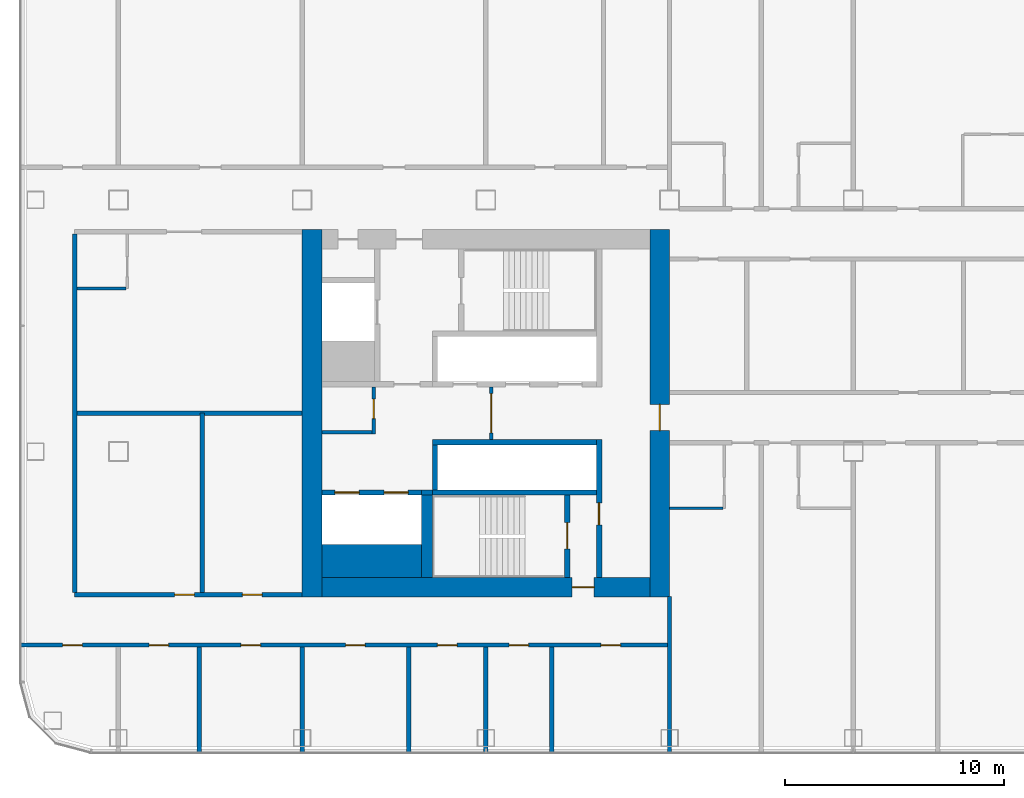
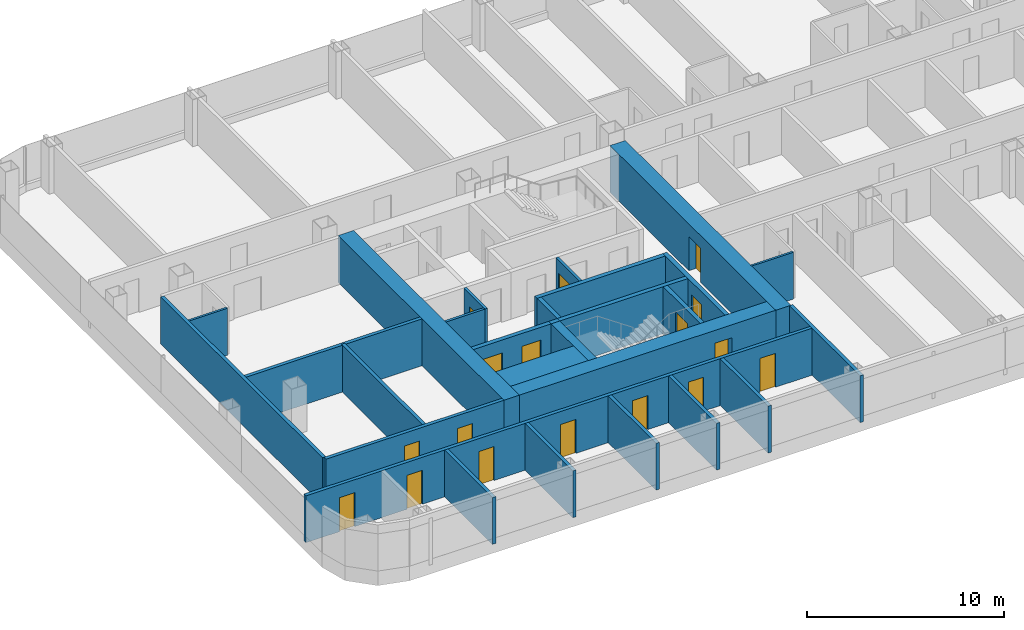
# One storey, part 15 of 29: 28 walls, 17 doors, 17 openings.
"""IFC4 building model written with IfcOpenShell, lengths in metres."""

from ifc_helpers import new_model, si_unit, direction, frame, frame_2d, origin, place, context, subcontext, project, spatial, rectangle, extrude, material, layer, layer_set, type_object, element, fill, save


model = new_model("IFC4")

# Units and contexts
model_context = context("Model", 3, precision=1e-05, world=origin(), true_north=direction((0.0, 1.0)))
body_context = subcontext(model_context, "Body", "Model", "MODEL_VIEW")
ifc_project = project(units=[si_unit("LENGTHUNIT", "METRE"), si_unit("AREAUNIT", "SQUARE_METRE"), si_unit("VOLUMEUNIT", "CUBIC_METRE"), si_unit("PLANEANGLEUNIT", "RADIAN"), si_unit("MASSUNIT", "GRAM", prefix="KILO")], contexts=[model_context])

# Site, building, storey
site_placement = place(None, origin())
site = spatial("IfcSite", under=ifc_project, at=site_placement, CompositionType="ELEMENT")
building_placement = place(site_placement, origin())
building = spatial("IfcBuilding", under=site, at=building_placement, Name="Hakoniwa Tower and Hamabe Station Hall", CompositionType="ELEMENT")
storey_placement = place(building_placement, frame((0.0, 0.0, 117.0)))
storey = spatial("IfcBuildingStorey", under=building, at=storey_placement, Name="L33", CompositionType="ELEMENT", Elevation=117.0)

# Wall
ifc_material_1 = material(Name="Gypsum board partition", Category="gypsum")
ifc_layer_1 = layer(ifc_material_1, 0.125)
ifc_layer_set_1 = layer_set([ifc_layer_1], Name="Bathroom Partition 125")
wall_type_1 = type_object("IfcWallType", Name="Bathroom Partition 125", PredefinedType="PARTITIONING", material=ifc_layer_set_1)
wall_1_placement = place(storey_placement, frame((-16.81005859375, -4.35009765625, 0.0), z_axis=(0.0, 0.0, 1.0), x_axis=(1.0, 0.0, 0.0)))
element("IfcWall", 1, at=wall_1_placement, inside=storey, type_object=wall_type_1, Name="GW-L33-007", PredefinedType="PARTITIONING", context=body_context, shape_type="SweptSolid", body=[
    extrude(rectangle(XDim=2.447509765625, YDim=0.125, at=frame_2d((1.2236328125, 0.0))), origin(), (0.0, 0.0, 1.0), 2.89990234375),
])

# Wall, opening, door
ifc_material_2 = material(Name="Gypsum board partition")
ifc_layer_2 = layer(ifc_material_2, 0.14990234375)
ifc_layer_set_2 = layer_set([ifc_layer_2], Name="CORE PARTITION 150 EI 60")
wall_type_2 = type_object("IfcWallType", Name="CORE PARTITION 150 EI 60", PredefinedType="PARTITIONING", material=ifc_layer_set_2)
wall_2_placement = place(storey_placement, frame((-24.949951171875, -1.199951171875, 0.0), z_axis=(0.0, 0.0, 1.0), x_axis=(0.0, 1.0, 0.0)))
wall_2 = element("IfcWall", 2, at=wall_2_placement, inside=storey, type_object=wall_type_2, Name="Core partition PL0 west", PredefinedType="PARTITIONING", context=body_context, shape_type="SweptSolid", body=[
    extrude(rectangle(XDim=2.39990234375, YDim=0.14990234375, at=frame_2d((1.199951171875, 0.0))), origin(), (0.0, 0.0, 1.0), 2.89990234375),
])
opening_1_placement = place(wall_2_placement, frame((0.300048828125, 0.0, 0.0)))
opening_1 = element("IfcOpeningElement", 3, at=opening_1_placement, cuts=wall_2, Name="Opening CD-W-LP0-18", PredefinedType="OPENING", context=body_context, shape_type="SweptSolid", body=[
    extrude(rectangle(XDim=1.800048828125, YDim=2.10009765625, at=frame_2d((0.89990234375, 1.050048828125))), frame((0.0, 0.0849609375, 0.0), z_axis=(0.0, -1.0, 0.0), x_axis=(1.0, 0.0, 0.0)), (0.0, 0.0, 1.0), 0.169921875),
])
ifc_material_3 = material(Name="Steel fire door", Category="steel")
door_type_1 = type_object("IfcDoorType", Name="CORE DOOR 1800 FD60", OperationType="DOUBLE_DOOR_SINGLE_SWING", PredefinedType="DOOR", material=ifc_material_3)
door_1_placement = place(opening_1_placement, origin())
door_1 = element("IfcDoor", 4, at=door_1_placement, inside=storey, type_object=door_type_1, Name="Lift lobby partition door", OperationType="DOUBLE_DOOR_SINGLE_SWING", OverallHeight=2.10009765625, OverallWidth=1.800048828125, PredefinedType="DOOR", context=body_context, shape_type="SweptSolid", body=[
    extrude(rectangle(XDim=1.800048828125, YDim=2.10009765625, at=frame_2d((0.89990234375, 1.050048828125))), frame((0.0, 0.02490234375, 0.0), z_axis=(0.0, -1.0, 0.0), x_axis=(1.0, 0.0, 0.0)), (0.0, 0.0, 1.0), 0.050048828125),
])
fill(opening_1, door_1)

wall_3_placement = place(storey_placement, frame((-30.324951171875, -0.949951171875, 0.0), z_axis=(0.0, 0.0, 1.0), x_axis=(0.0, 1.0, 0.0)))
wall_3 = element("IfcWall", 5, at=wall_3_placement, inside=storey, type_object=wall_type_2, Name="Core partition PW0 west", PredefinedType="PARTITIONING", context=body_context, shape_type="SweptSolid", body=[
    extrude(rectangle(XDim=2.14990234375, YDim=0.14990234375, at=frame_2d((1.074951171875, 0.0))), origin(), (0.0, 0.0, 1.0), 2.89990234375),
])
opening_2_placement = place(wall_3_placement, frame((0.699951171875, 0.0, 0.0)))
opening_2 = element("IfcOpeningElement", 6, at=opening_2_placement, cuts=wall_3, Name="Opening CD-W-RM1-9", PredefinedType="OPENING", context=body_context, shape_type="SweptSolid", body=[
    extrude(rectangle(XDim=0.89990234375, YDim=2.10009765625, at=frame_2d((0.449951171875, 1.050048828125))), frame((0.0, 0.0849609375, 0.0), z_axis=(0.0, -1.0, 0.0), x_axis=(1.0, 0.0, 0.0)), (0.0, 0.0, 1.0), 0.169921875),
])
ifc_material_4 = material(Name="Steel fire door", Category="steel")
door_type_2 = type_object("IfcDoorType", Name="CORE DOOR 900 FD30", OperationType="NOTDEFINED", PredefinedType="DOOR", material=ifc_material_4)
door_2_placement = place(opening_2_placement, origin())
door_2 = element("IfcDoor", 7, at=door_2_placement, inside=storey, type_object=door_type_2, Name="Store room door", OperationType="SINGLE_SWING_LEFT", OverallHeight=2.10009765625, OverallWidth=0.89990234375, PredefinedType="DOOR", context=body_context, shape_type="SweptSolid", body=[
    extrude(rectangle(XDim=0.89990234375, YDim=2.10009765625, at=frame_2d((0.449951171875, 1.050048828125))), frame((0.0, 0.02490234375, 0.0), z_axis=(0.0, -1.0, 0.0), x_axis=(1.0, 0.0, 0.0)), (0.0, 0.0, 1.0), 0.050048828125),
])
fill(opening_2, door_2)

# Wall
wall_4_placement = place(storey_placement, frame((-32.699951171875, -0.875, 0.0), z_axis=(0.0, 0.0, 1.0), x_axis=(1.0, 0.0, 0.0)))
element("IfcWall", 8, at=wall_4_placement, inside=storey, type_object=wall_type_2, Name="Core partition PS west", PredefinedType="PARTITIONING", context=body_context, shape_type="SweptSolid", body=[
    extrude(rectangle(XDim=2.300048828125, YDim=0.14990234375, at=frame_2d((1.14990234375, 0.0))), origin(), (0.0, 0.0, 1.0), 2.89990234375),
])

# Wall, opening, door
ifc_material_5 = material(Name="Concrete C72", Category="concrete")
ifc_layer_3 = layer(ifc_material_5, 0.89990234375)
ifc_layer_set_3 = layer_set([ifc_layer_3], Name="CORE WALL 900 C72")
wall_type_3 = type_object("IfcWallType", Name="CORE WALL 900 C72", PredefinedType="SHEAR", material=ifc_layer_set_3)
wall_5_placement = place(storey_placement, frame((-17.25, -8.39990234375, 0.0), z_axis=(0.0, 0.0, 1.0), x_axis=(0.0, 1.0, 0.0)))
wall_5 = element("IfcWall", 9, at=wall_5_placement, inside=storey, type_object=wall_type_3, Name="Core wall INNER west", PredefinedType="SHEAR", context=body_context, shape_type="SweptSolid", body=[
    extrude(rectangle(XDim=16.7998046875, YDim=0.89990234375, at=frame_2d((8.39990234375, 0.0))), origin(), (0.0, 0.0, 1.0), 2.89990234375),
])
opening_3_placement = place(wall_5_placement, frame((7.60009765625, 0.0, 0.0)))
opening_3 = element("IfcOpeningElement", 10, at=opening_3_placement, cuts=wall_5, Name="Opening CD-W-IN1-12", PredefinedType="OPENING", context=body_context, shape_type="SweptSolid", body=[
    extrude(rectangle(XDim=1.199951171875, YDim=2.10009765625, at=frame_2d((0.60009765625, 1.050048828125))), frame((0.0, 0.4599609375, 0.0), z_axis=(0.0, -1.0, 0.0), x_axis=(1.0, 0.0, 0.0)), (0.0, 0.0, 1.0), 0.919921875),
])
ifc_material_6 = material(Name="Steel fire door", Category="steel")
door_type_3 = type_object("IfcDoorType", Name="CORE DOOR 1200 FD60", OperationType="DOUBLE_DOOR_SINGLE_SWING", PredefinedType="DOOR", material=ifc_material_6)
door_3_placement = place(opening_3_placement, origin())
door_3 = element("IfcDoor", 11, at=door_3_placement, inside=storey, type_object=door_type_3, Name="Lift lobby door", OperationType="DOUBLE_DOOR_SINGLE_SWING", OverallHeight=2.10009765625, OverallWidth=1.199951171875, PredefinedType="DOOR", context=body_context, shape_type="SweptSolid", body=[
    extrude(rectangle(XDim=1.199951171875, YDim=2.10009765625, at=frame_2d((0.60009765625, 1.050048828125))), frame((0.0, 0.02490234375, 0.0), z_axis=(0.0, -1.0, 0.0), x_axis=(1.0, 0.0, 0.0)), (0.0, 0.0, 1.0), 0.050048828125),
])
fill(opening_3, door_3)

# Wall
wall_6_placement = place(storey_placement, frame((-33.14990234375, -8.39990234375, 0.0), z_axis=(0.0, 0.0, 1.0), x_axis=(0.0, 1.0, 0.0)))
element("IfcWall", 12, at=wall_6_placement, inside=storey, type_object=wall_type_3, Name="Core wall OUTER west", PredefinedType="SHEAR", context=body_context, shape_type="SweptSolid", body=[
    extrude(rectangle(XDim=16.7998046875, YDim=0.89990234375, at=frame_2d((8.39990234375, 0.0))), origin(), (0.0, 0.0, 1.0), 2.89990234375),
])

# Wall, opening, door
wall_7_placement = place(storey_placement, frame((-32.699951171875, -7.949951171875, 0.0), z_axis=(0.0, 0.0, 1.0), x_axis=(1.0, 0.0, 0.0)))
wall_7 = element("IfcWall", 13, at=wall_7_placement, inside=storey, type_object=wall_type_3, Name="Core wall SOUTH west", PredefinedType="SHEAR", context=body_context, shape_type="SweptSolid", body=[
    extrude(rectangle(XDim=15.0, YDim=0.89990234375, at=frame_2d((7.5, 0.0))), origin(), (0.0, 0.0, 1.0), 2.89990234375),
])
opening_4_placement = place(wall_7_placement, frame((11.449951171875, 0.0, 0.0)))
opening_4 = element("IfcOpeningElement", 14, at=opening_4_placement, cuts=wall_7, Name="Opening CD-W-FS3-10", PredefinedType="OPENING", context=body_context, shape_type="SweptSolid", body=[
    extrude(rectangle(XDim=1.0, YDim=2.10009765625, at=frame_2d((0.5, 1.050048828125))), frame((0.0, 0.4599609375, 0.0), z_axis=(0.0, -1.0, 0.0), x_axis=(1.0, 0.0, 0.0)), (0.0, 0.0, 1.0), 0.919921875),
])
ifc_material_7 = material(Name="Steel fire door", Category="steel")
door_type_4 = type_object("IfcDoorType", Name="CORE DOOR 1000 FD60", OperationType="NOTDEFINED", PredefinedType="DOOR", material=ifc_material_7)
door_4_placement = place(opening_4_placement, origin())
door_4 = element("IfcDoor", 15, at=door_4_placement, inside=storey, type_object=door_type_4, Name="Stair vestibule door", OperationType="SINGLE_SWING_RIGHT", OverallHeight=2.10009765625, OverallWidth=1.0, PredefinedType="DOOR", context=body_context, shape_type="SweptSolid", body=[
    extrude(rectangle(XDim=1.0, YDim=2.10009765625, at=frame_2d((0.5, 1.050048828125))), frame((0.0, 0.02490234375, 0.0), z_axis=(0.0, -1.0, 0.0), x_axis=(1.0, 0.0, 0.0)), (0.0, 0.0, 1.0), 0.050048828125),
])
fill(opening_4, door_4)

# Wall
ifc_material_8 = material(Name="Concrete C72", Category="concrete")
ifc_layer_4 = layer(ifc_material_8, 1.5)
ifc_layer_set_4 = layer_set([ifc_layer_4], Name="CORE WEB WALL 1500 C72")
wall_type_4 = type_object("IfcWallType", Name="CORE WEB WALL 1500 C72", PredefinedType="SHEAR", material=ifc_layer_set_4)
wall_8_placement = place(storey_placement, frame((-32.699951171875, -6.75, 0.0), z_axis=(0.0, 0.0, 1.0), x_axis=(1.0, 0.0, 0.0)))
element("IfcWall", 16, at=wall_8_placement, inside=storey, type_object=wall_type_4, Name="Core wall SER west", PredefinedType="SHEAR", context=body_context, shape_type="SweptSolid", body=[
    extrude(rectangle(XDim=4.550048828125, YDim=1.5, at=frame_2d((2.27490234375, 0.0))), origin(), (0.0, 0.0, 1.0), 2.89990234375),
])

# Wall, opening, door
ifc_material_9 = material(Name="Concrete C72", Category="concrete")
ifc_layer_5 = layer(ifc_material_9, 0.25)
ifc_layer_set_5 = layer_set([ifc_layer_5], Name="CORE WEB WALL 250 C72")
wall_type_5 = type_object("IfcWallType", Name="CORE WEB WALL 250 C72", PredefinedType="SHEAR", material=ifc_layer_set_5)
wall_9_placement = place(storey_placement, frame((-20.02490234375, -7.5, 0.0), z_axis=(0.0, 0.0, 1.0), x_axis=(0.0, 1.0, 0.0)))
wall_9 = element("IfcWall", 17, at=wall_9_placement, inside=storey, type_object=wall_type_5, Name="Core wall W1S west", PredefinedType="SHEAR", context=body_context, shape_type="SweptSolid", body=[
    extrude(rectangle(XDim=6.300048828125, YDim=0.25, at=frame_2d((3.14990234375, 0.0))), origin(), (0.0, 0.0, 1.0), 2.89990234375),
])
opening_5_placement = place(wall_9_placement, frame((2.39990234375, 0.0, 0.0)))
opening_5 = element("IfcOpeningElement", 18, at=opening_5_placement, cuts=wall_9, Name="Opening CD-W-VS-10", PredefinedType="OPENING", context=body_context, shape_type="SweptSolid", body=[
    extrude(rectangle(XDim=1.0, YDim=2.10009765625, at=frame_2d((0.5, 1.050048828125))), frame((0.0, 0.135009765625, 0.0), z_axis=(0.0, -1.0, 0.0), x_axis=(1.0, 0.0, 0.0)), (0.0, 0.0, 1.0), 0.27001953125),
])
door_5_placement = place(opening_5_placement, origin())
door_5 = element("IfcDoor", 19, at=door_5_placement, inside=storey, type_object=door_type_4, Name="Stair vestibule door", OperationType="SINGLE_SWING_LEFT", OverallHeight=2.10009765625, OverallWidth=1.0, PredefinedType="DOOR", context=body_context, shape_type="SweptSolid", body=[
    extrude(rectangle(XDim=1.0, YDim=2.10009765625, at=frame_2d((0.5, 1.050048828125))), frame((0.0, 0.02490234375, 0.0), z_axis=(0.0, -1.0, 0.0), x_axis=(1.0, 0.0, 0.0)), (0.0, 0.0, 1.0), 0.050048828125),
])
fill(opening_5, door_5)

# Walls
wall_10_placement = place(storey_placement, frame((-27.64990234375, -1.324951171875, 0.0), z_axis=(0.0, 0.0, 1.0), x_axis=(1.0, 0.0, 0.0)))
element("IfcWall", 20, at=wall_10_placement, inside=storey, type_object=wall_type_5, Name="Core wall SF west", PredefinedType="SHEAR", context=body_context, shape_type="SweptSolid", body=[
    extrude(rectangle(XDim=7.5, YDim=0.25, at=frame_2d((3.75, 0.0))), origin(), (0.0, 0.0, 1.0), 2.89990234375),
])
wall_11_placement = place(storey_placement, frame((-27.52490234375, -3.5, 0.0), z_axis=(0.0, 0.0, 1.0), x_axis=(0.0, 1.0, 0.0)))
element("IfcWall", 21, at=wall_11_placement, inside=storey, type_object=wall_type_5, Name="Core wall SE west", PredefinedType="SHEAR", context=body_context, shape_type="SweptSolid", body=[
    extrude(rectangle(XDim=2.050048828125, YDim=0.25, at=frame_2d((1.02490234375, 0.0))), origin(), (0.0, 0.0, 1.0), 2.89990234375),
])
wall_12_placement = place(storey_placement, frame((-27.64990234375, -3.625, 0.0), z_axis=(0.0, 0.0, 1.0), x_axis=(1.0, 0.0, 0.0)))
element("IfcWall", 22, at=wall_12_placement, inside=storey, type_object=wall_type_5, Name="Core wall SR west", PredefinedType="SHEAR", context=body_context, shape_type="SweptSolid", body=[
    extrude(rectangle(XDim=7.5, YDim=0.25, at=frame_2d((3.75, 0.0))), origin(), (0.0, 0.0, 1.0), 2.89990234375),
])

# Wall, opening, door
wall_13_placement = place(storey_placement, frame((-21.47509765625, -7.5, 0.0), z_axis=(0.0, 0.0, 1.0), x_axis=(0.0, 1.0, 0.0)))
wall_13 = element("IfcWall", 23, at=wall_13_placement, inside=storey, type_object=wall_type_5, Name="Core wall VE west", PredefinedType="SHEAR", context=body_context, shape_type="SweptSolid", body=[
    extrude(rectangle(XDim=3.75, YDim=0.25, at=frame_2d((1.875, 0.0))), origin(), (0.0, 0.0, 1.0), 2.89990234375),
])
opening_6_placement = place(wall_13_placement, frame((1.300048828125, 0.0, 0.0)))
opening_6 = element("IfcOpeningElement", 24, at=opening_6_placement, cuts=wall_13, Name="Opening CD-W-SS-12", PredefinedType="OPENING", context=body_context, shape_type="SweptSolid", body=[
    extrude(rectangle(XDim=1.199951171875, YDim=2.10009765625, at=frame_2d((0.60009765625, 1.050048828125))), frame((0.0, 0.135009765625, 0.0), z_axis=(0.0, -1.0, 0.0), x_axis=(1.0, 0.0, 0.0)), (0.0, 0.0, 1.0), 0.27001953125),
])
door_6_placement = place(opening_6_placement, origin())
door_6 = element("IfcDoor", 25, at=door_6_placement, inside=storey, type_object=door_type_3, Name="Escape stair door", OperationType="DOUBLE_DOOR_SINGLE_SWING", OverallHeight=2.10009765625, OverallWidth=1.199951171875, PredefinedType="DOOR", context=body_context, shape_type="SweptSolid", body=[
    extrude(rectangle(XDim=1.199951171875, YDim=2.10009765625, at=frame_2d((0.60009765625, 1.050048828125))), frame((0.0, 0.02490234375, 0.0), z_axis=(0.0, -1.0, 0.0), x_axis=(1.0, 0.0, 0.0)), (0.0, 0.0, 1.0), 0.050048828125),
])
fill(opening_6, door_6)

# Wall, openings, doors
wall_14_placement = place(storey_placement, frame((-32.699951171875, -3.625, 0.0), z_axis=(0.0, 0.0, 1.0), x_axis=(1.0, 0.0, 0.0)))
wall_14 = element("IfcWall", 26, at=wall_14_placement, inside=storey, type_object=wall_type_5, Name="Core wall SEF west", PredefinedType="SHEAR", context=body_context, shape_type="SweptSolid", body=[
    extrude(rectangle(XDim=4.550048828125, YDim=0.25, at=frame_2d((2.27490234375, 0.0))), origin(), (0.0, 0.0, 1.0), 2.89990234375),
])
opening_7_placement = place(wall_14_placement, frame((2.85009765625, 0.0, 0.0)))
opening_7 = element("IfcOpeningElement", 27, at=opening_7_placement, cuts=wall_14, Name="Opening LD-SV1", PredefinedType="OPENING", context=body_context, shape_type="SweptSolid", body=[
    extrude(rectangle(XDim=1.10009765625, YDim=2.10009765625, at=frame_2d((0.550048828125, 1.050048828125))), frame((0.0, 0.135009765625, 0.0), z_axis=(0.0, -1.0, 0.0), x_axis=(1.0, 0.0, 0.0)), (0.0, 0.0, 1.0), 0.27001953125),
])
opening_8_placement = place(wall_14_placement, frame((0.60009765625, 0.0, 0.0)))
opening_8 = element("IfcOpeningElement", 28, at=opening_8_placement, cuts=wall_14, Name="Opening LD-SV2", PredefinedType="OPENING", context=body_context, shape_type="SweptSolid", body=[
    extrude(rectangle(XDim=1.10009765625, YDim=2.10009765625, at=frame_2d((0.550048828125, 1.050048828125))), frame((0.0, 0.135009765625, 0.0), z_axis=(0.0, -1.0, 0.0), x_axis=(1.0, 0.0, 0.0)), (0.0, 0.0, 1.0), 0.27001953125),
])
ifc_material_10 = material(Name="Stainless steel SUS304", Category="steel")
door_type_5 = type_object("IfcDoorType", Name="LIFT LANDING DOOR 1100 FD60", OperationType="DOUBLE_DOOR_SLIDING", PredefinedType="DOOR", material=ifc_material_10)
door_7_placement = place(opening_7_placement, origin())
door_7 = element("IfcDoor", 29, at=door_7_placement, inside=storey, type_object=door_type_5, Name="Lift landing door SV1 L33", OperationType="DOUBLE_DOOR_SLIDING", OverallHeight=2.10009765625, OverallWidth=1.10009765625, PredefinedType="DOOR", context=body_context, shape_type="SweptSolid", body=[
    extrude(rectangle(XDim=1.10009765625, YDim=2.10009765625, at=frame_2d((0.550048828125, 1.050048828125))), frame((0.0, 0.02490234375, 0.0), z_axis=(0.0, -1.0, 0.0), x_axis=(1.0, 0.0, 0.0)), (0.0, 0.0, 1.0), 0.050048828125),
])
fill(opening_7, door_7)
door_8_placement = place(opening_8_placement, origin())
door_8 = element("IfcDoor", 30, at=door_8_placement, inside=storey, type_object=door_type_5, Name="Lift landing door SV2 L33", OperationType="DOUBLE_DOOR_SLIDING", OverallHeight=2.10009765625, OverallWidth=1.10009765625, PredefinedType="DOOR", context=body_context, shape_type="SweptSolid", body=[
    extrude(rectangle(XDim=1.10009765625, YDim=2.10009765625, at=frame_2d((0.550048828125, 1.050048828125))), frame((0.0, 0.02490234375, 0.0), z_axis=(0.0, -1.0, 0.0), x_axis=(1.0, 0.0, 0.0)), (0.0, 0.0, 1.0), 0.050048828125),
])
fill(opening_8, door_8)

# Walls
wall_15_placement = place(storey_placement, frame((-28.14990234375, -3.625, 0.0), z_axis=(0.0, 0.0, 1.0), x_axis=(1.0, 0.0, 0.0)))
element("IfcWall", 31, at=wall_15_placement, inside=storey, type_object=wall_type_5, Name="Core wall SRK west", PredefinedType="SHEAR", context=body_context, shape_type="SweptSolid", body=[
    extrude(rectangle(XDim=0.5, YDim=0.25, at=frame_2d((0.25, 0.0))), origin(), (0.0, 0.0, 1.0), 2.89990234375),
])
ifc_material_11 = material(Name="Concrete C72", Category="concrete")
ifc_layer_6 = layer(ifc_material_11, 0.5)
ifc_layer_set_6 = layer_set([ifc_layer_6], Name="CORE WEB WALL 500 C72")
wall_type_6 = type_object("IfcWallType", Name="CORE WEB WALL 500 C72", PredefinedType="SHEAR", material=ifc_layer_set_6)
wall_16_placement = place(storey_placement, frame((-27.89990234375, -7.5, 0.0), z_axis=(0.0, 0.0, 1.0), x_axis=(0.0, 1.0, 0.0)))
element("IfcWall", 32, at=wall_16_placement, inside=storey, type_object=wall_type_6, Name="Core wall SSE west", PredefinedType="SHEAR", context=body_context, shape_type="SweptSolid", body=[
    extrude(rectangle(XDim=3.75, YDim=0.5, at=frame_2d((1.875, 0.0))), origin(), (0.0, 0.0, 1.0), 2.89990234375),
])

# Wall, openings, doors
ifc_material_12 = material(Name="Fire-rated gypsum board partition", Category="gypsum")
ifc_layer_7 = layer(ifc_material_12, 0.199951171875)
ifc_layer_set_7 = layer_set([ifc_layer_7], Name="Corridor Wall 200")
wall_type_7 = type_object("IfcWallType", Name="Corridor Wall 200", PredefinedType="PARTITIONING", material=ifc_layer_set_7)
wall_17_placement = place(storey_placement, frame((-46.5, -10.60009765625, 0.0), z_axis=(0.0, 0.0, 1.0), x_axis=(1.0, 0.0, 0.0)))
wall_17 = element("IfcWall", 33, at=wall_17_placement, inside=storey, type_object=wall_type_7, Name="GW-L33-001", PredefinedType="PARTITIONING", context=body_context, shape_type="SweptSolid", body=[
    extrude(rectangle(XDim=29.699951171875, YDim=0.199951171875, at=frame_2d((14.85009765625, 0.0))), origin(), (0.0, 0.0, 1.0), 2.89990234375),
])
opening_9_placement = place(wall_17_placement, frame((1.949951171875, 0.0, 0.0)))
opening_9 = element("IfcOpeningElement", 34, at=opening_9_placement, cuts=wall_17, Name="Opening GD-G2D2-01", PredefinedType="OPENING", context=body_context, shape_type="SweptSolid", body=[
    extrude(rectangle(XDim=0.89990234375, YDim=2.10009765625, at=frame_2d((0.449951171875, 1.050048828125))), frame((0.0, 0.10986328125, 0.0), z_axis=(0.0, -1.0, 0.0), x_axis=(1.0, 0.0, 0.0)), (0.0, 0.0, 1.0), 0.219970703125),
])
opening_10_placement = place(wall_17_placement, frame((5.89990234375, 0.0, 0.0)))
opening_10 = element("IfcOpeningElement", 35, at=opening_10_placement, cuts=wall_17, Name="Opening GD-G2D2-02", PredefinedType="OPENING", context=body_context, shape_type="SweptSolid", body=[
    extrude(rectangle(XDim=0.89990234375, YDim=2.10009765625, at=frame_2d((0.449951171875, 1.050048828125))), frame((0.0, 0.10986328125, 0.0), z_axis=(0.0, -1.0, 0.0), x_axis=(1.0, 0.0, 0.0)), (0.0, 0.0, 1.0), 0.219970703125),
])
opening_11_placement = place(wall_17_placement, frame((10.10009765625, 0.0, 0.0)))
opening_11 = element("IfcOpeningElement", 36, at=opening_11_placement, cuts=wall_17, Name="Opening GD-G2D2-03", PredefinedType="OPENING", context=body_context, shape_type="SweptSolid", body=[
    extrude(rectangle(XDim=0.89990234375, YDim=2.10009765625, at=frame_2d((0.449951171875, 1.050048828125))), frame((0.0, 0.10986328125, 0.0), z_axis=(0.0, -1.0, 0.0), x_axis=(1.0, 0.0, 0.0)), (0.0, 0.0, 1.0), 0.219970703125),
])
opening_12_placement = place(wall_17_placement, frame((14.885009765625, 0.0, 0.0)))
opening_12 = element("IfcOpeningElement", 37, at=opening_12_placement, cuts=wall_17, Name="Opening GD-G2D2-04", PredefinedType="OPENING", context=body_context, shape_type="SweptSolid", body=[
    extrude(rectangle(XDim=0.89990234375, YDim=2.10009765625, at=frame_2d((0.449951171875, 1.050048828125))), frame((0.0, 0.10986328125, 0.0), z_axis=(0.0, -1.0, 0.0), x_axis=(1.0, 0.0, 0.0)), (0.0, 0.0, 1.0), 0.219970703125),
])
opening_13_placement = place(wall_17_placement, frame((19.0849609375, 0.0, 0.0)))
opening_13 = element("IfcOpeningElement", 38, at=opening_13_placement, cuts=wall_17, Name="Opening GD-G2D2-05", PredefinedType="OPENING", context=body_context, shape_type="SweptSolid", body=[
    extrude(rectangle(XDim=0.89990234375, YDim=2.10009765625, at=frame_2d((0.449951171875, 1.050048828125))), frame((0.0, 0.10986328125, 0.0), z_axis=(0.0, -1.0, 0.0), x_axis=(1.0, 0.0, 0.0)), (0.0, 0.0, 1.0), 0.219970703125),
])
opening_14_placement = place(wall_17_placement, frame((22.360107421875, 0.0, 0.0)))
opening_14 = element("IfcOpeningElement", 39, at=opening_14_placement, cuts=wall_17, Name="Opening GD-G2D2-06", PredefinedType="OPENING", context=body_context, shape_type="SweptSolid", body=[
    extrude(rectangle(XDim=0.89990234375, YDim=2.10009765625, at=frame_2d((0.449951171875, 1.050048828125))), frame((0.0, 0.10986328125, 0.0), z_axis=(0.0, -1.0, 0.0), x_axis=(1.0, 0.0, 0.0)), (0.0, 0.0, 1.0), 0.219970703125),
])
opening_15_placement = place(wall_17_placement, frame((26.56005859375, 0.0, 0.0)))
opening_15 = element("IfcOpeningElement", 40, at=opening_15_placement, cuts=wall_17, Name="Opening GD-G2D2-07", PredefinedType="OPENING", context=body_context, shape_type="SweptSolid", body=[
    extrude(rectangle(XDim=0.89990234375, YDim=2.10009765625, at=frame_2d((0.449951171875, 1.050048828125))), frame((0.0, 0.10986328125, 0.0), z_axis=(0.0, -1.0, 0.0), x_axis=(1.0, 0.0, 0.0)), (0.0, 0.0, 1.0), 0.219970703125),
])
ifc_material_13 = material(Name="Timber door leaf", Category="wood")
door_type_6 = type_object("IfcDoorType", Name="Service Door 900", OperationType="SINGLE_SWING_LEFT", PredefinedType="DOOR", material=ifc_material_13)
door_9_placement = place(opening_9_placement, origin())
door_9 = element("IfcDoor", 41, at=door_9_placement, inside=storey, type_object=door_type_6, Name="Door GD-G2D2-01", OperationType="SINGLE_SWING_RIGHT", OverallHeight=2.10009765625, OverallWidth=0.89990234375, PredefinedType="DOOR", context=body_context, shape_type="SweptSolid", body=[
    extrude(rectangle(XDim=0.89990234375, YDim=2.10009765625, at=frame_2d((0.449951171875, 1.050048828125))), frame((0.0, 0.02490234375, 0.0), z_axis=(0.0, -1.0, 0.0), x_axis=(1.0, 0.0, 0.0)), (0.0, 0.0, 1.0), 0.050048828125),
])
fill(opening_9, door_9)
door_10_placement = place(opening_10_placement, origin())
door_10 = element("IfcDoor", 42, at=door_10_placement, inside=storey, type_object=door_type_6, Name="Door GD-G2D2-02", OperationType="SINGLE_SWING_RIGHT", OverallHeight=2.10009765625, OverallWidth=0.89990234375, PredefinedType="DOOR", context=body_context, shape_type="SweptSolid", body=[
    extrude(rectangle(XDim=0.89990234375, YDim=2.10009765625, at=frame_2d((0.449951171875, 1.050048828125))), frame((0.0, 0.02490234375, 0.0), z_axis=(0.0, -1.0, 0.0), x_axis=(1.0, 0.0, 0.0)), (0.0, 0.0, 1.0), 0.050048828125),
])
fill(opening_10, door_10)
door_11_placement = place(opening_11_placement, origin())
door_11 = element("IfcDoor", 43, at=door_11_placement, inside=storey, type_object=door_type_6, Name="Door GD-G2D2-03", OperationType="SINGLE_SWING_LEFT", OverallHeight=2.10009765625, OverallWidth=0.89990234375, PredefinedType="DOOR", context=body_context, shape_type="SweptSolid", body=[
    extrude(rectangle(XDim=0.89990234375, YDim=2.10009765625, at=frame_2d((0.449951171875, 1.050048828125))), frame((0.0, 0.02490234375, 0.0), z_axis=(0.0, -1.0, 0.0), x_axis=(1.0, 0.0, 0.0)), (0.0, 0.0, 1.0), 0.050048828125),
])
fill(opening_11, door_11)
door_12_placement = place(opening_12_placement, origin())
door_12 = element("IfcDoor", 44, at=door_12_placement, inside=storey, type_object=door_type_6, Name="Door GD-G2D2-04", OperationType="SINGLE_SWING_RIGHT", OverallHeight=2.10009765625, OverallWidth=0.89990234375, PredefinedType="DOOR", context=body_context, shape_type="SweptSolid", body=[
    extrude(rectangle(XDim=0.89990234375, YDim=2.10009765625, at=frame_2d((0.449951171875, 1.050048828125))), frame((0.0, 0.02490234375, 0.0), z_axis=(0.0, -1.0, 0.0), x_axis=(1.0, 0.0, 0.0)), (0.0, 0.0, 1.0), 0.050048828125),
])
fill(opening_12, door_12)
door_13_placement = place(opening_13_placement, origin())
door_13 = element("IfcDoor", 45, at=door_13_placement, inside=storey, type_object=door_type_6, Name="Door GD-G2D2-05", OperationType="SINGLE_SWING_LEFT", OverallHeight=2.10009765625, OverallWidth=0.89990234375, PredefinedType="DOOR", context=body_context, shape_type="SweptSolid", body=[
    extrude(rectangle(XDim=0.89990234375, YDim=2.10009765625, at=frame_2d((0.449951171875, 1.050048828125))), frame((0.0, 0.02490234375, 0.0), z_axis=(0.0, -1.0, 0.0), x_axis=(1.0, 0.0, 0.0)), (0.0, 0.0, 1.0), 0.050048828125),
])
fill(opening_13, door_13)
door_14_placement = place(opening_14_placement, origin())
door_14 = element("IfcDoor", 46, at=door_14_placement, inside=storey, type_object=door_type_6, Name="Door GD-G2D2-06", OperationType="SINGLE_SWING_RIGHT", OverallHeight=2.10009765625, OverallWidth=0.89990234375, PredefinedType="DOOR", context=body_context, shape_type="SweptSolid", body=[
    extrude(rectangle(XDim=0.89990234375, YDim=2.10009765625, at=frame_2d((0.449951171875, 1.050048828125))), frame((0.0, 0.02490234375, 0.0), z_axis=(0.0, -1.0, 0.0), x_axis=(1.0, 0.0, 0.0)), (0.0, 0.0, 1.0), 0.050048828125),
])
fill(opening_14, door_14)
door_15_placement = place(opening_15_placement, origin())
door_15 = element("IfcDoor", 47, at=door_15_placement, inside=storey, type_object=door_type_6, Name="Door GD-G2D2-07", OperationType="SINGLE_SWING_LEFT", OverallHeight=2.10009765625, OverallWidth=0.89990234375, PredefinedType="DOOR", context=body_context, shape_type="SweptSolid", body=[
    extrude(rectangle(XDim=0.89990234375, YDim=2.10009765625, at=frame_2d((0.449951171875, 1.050048828125))), frame((0.0, 0.02490234375, 0.0), z_axis=(0.0, -1.0, 0.0), x_axis=(1.0, 0.0, 0.0)), (0.0, 0.0, 1.0), 0.050048828125),
])
fill(opening_15, door_15)

wall_18_placement = place(storey_placement, frame((-44.0, -8.300048828125, 0.0), z_axis=(0.0, 0.0, 1.0), x_axis=(1.0, 0.0, 0.0)))
wall_18 = element("IfcWall", 48, at=wall_18_placement, inside=storey, type_object=wall_type_7, Name="GW-L33-003", PredefinedType="PARTITIONING", context=body_context, shape_type="SweptSolid", body=[
    extrude(rectangle(XDim=10.39990234375, YDim=0.199951171875, at=frame_2d((5.199951171875, 0.0))), origin(), (0.0, 0.0, 1.0), 2.89990234375),
])
opening_16_placement = place(wall_18_placement, frame((4.570068359375, 0.0, 0.0)))
opening_16 = element("IfcOpeningElement", 49, at=opening_16_placement, cuts=wall_18, Name="Opening GD-G2D2-15", PredefinedType="OPENING", context=body_context, shape_type="SweptSolid", body=[
    extrude(rectangle(XDim=0.89990234375, YDim=2.10009765625, at=frame_2d((0.449951171875, 1.050048828125))), frame((0.0, 0.10986328125, 0.0), z_axis=(0.0, -1.0, 0.0), x_axis=(1.0, 0.0, 0.0)), (0.0, 0.0, 1.0), 0.219970703125),
])
opening_17_placement = place(wall_18_placement, frame((7.669921875, 0.0, 0.0)))
opening_17 = element("IfcOpeningElement", 50, at=opening_17_placement, cuts=wall_18, Name="Opening GD-G2D2-16", PredefinedType="OPENING", context=body_context, shape_type="SweptSolid", body=[
    extrude(rectangle(XDim=0.89990234375, YDim=2.10009765625, at=frame_2d((0.449951171875, 1.050048828125))), frame((0.0, 0.10986328125, 0.0), z_axis=(0.0, -1.0, 0.0), x_axis=(1.0, 0.0, 0.0)), (0.0, 0.0, 1.0), 0.219970703125),
])
door_16_placement = place(opening_16_placement, origin())
door_16 = element("IfcDoor", 51, at=door_16_placement, inside=storey, type_object=door_type_6, Name="Door GD-G2D2-15", OperationType="SINGLE_SWING_LEFT", OverallHeight=2.10009765625, OverallWidth=0.89990234375, PredefinedType="DOOR", context=body_context, shape_type="SweptSolid", body=[
    extrude(rectangle(XDim=0.89990234375, YDim=2.10009765625, at=frame_2d((0.449951171875, 1.050048828125))), frame((0.0, 0.02490234375, 0.0), z_axis=(0.0, -1.0, 0.0), x_axis=(1.0, 0.0, 0.0)), (0.0, 0.0, 1.0), 0.050048828125),
])
fill(opening_16, door_16)
door_17_placement = place(opening_17_placement, origin())
door_17 = element("IfcDoor", 52, at=door_17_placement, inside=storey, type_object=door_type_6, Name="Door GD-G2D2-16", OperationType="SINGLE_SWING_RIGHT", OverallHeight=2.10009765625, OverallWidth=0.89990234375, PredefinedType="DOOR", context=body_context, shape_type="SweptSolid", body=[
    extrude(rectangle(XDim=0.89990234375, YDim=2.10009765625, at=frame_2d((0.449951171875, 1.050048828125))), frame((0.0, 0.02490234375, 0.0), z_axis=(0.0, -1.0, 0.0), x_axis=(1.0, 0.0, 0.0)), (0.0, 0.0, 1.0), 0.050048828125),
])
fill(opening_17, door_17)

# Walls
ifc_material_14 = material(Name="Fire-rated gypsum board partition", Category="gypsum")
ifc_layer_8 = layer(ifc_material_14, 0.199951171875)
ifc_layer_set_8 = layer_set([ifc_layer_8], Name="Party Wall 200")
wall_type_8 = type_object("IfcWallType", Name="Party Wall 200", PredefinedType="PARTITIONING", material=ifc_layer_set_8)
wall_19_placement = place(storey_placement, frame((-43.89990234375, 0.0, 0.0), z_axis=(0.0, 0.0, 1.0), x_axis=(1.0, 0.0, 0.0)))
element("IfcWall", 53, at=wall_19_placement, inside=storey, type_object=wall_type_8, Name="GW-L33-012", PredefinedType="PARTITIONING", context=body_context, shape_type="SweptSolid", body=[
    extrude(rectangle(XDim=10.2998046875, YDim=0.199951171875, at=frame_2d((5.14990234375, 0.0))), origin(), (0.0, 0.0, 1.0), 2.89990234375),
])
wall_20_placement = place(storey_placement, frame((-44.0, -8.199951171875, 0.0), z_axis=(0.0, 0.0, 1.0), x_axis=(0.0, 1.0, 0.0)))
element("IfcWall", 54, at=wall_20_placement, inside=storey, type_object=wall_type_8, Name="GW-L33-029", PredefinedType="PARTITIONING", context=body_context, shape_type="SweptSolid", body=[
    extrude(rectangle(XDim=16.39990234375, YDim=0.199951171875, at=frame_2d((8.199951171875, 0.0))), origin(), (0.0, 0.0, 1.0), 2.89990234375),
])
wall_21_placement = place(storey_placement, frame((-38.300048828125, -15.550048828125, 0.0), z_axis=(0.0, 0.0, 1.0), x_axis=(0.0, 1.0, 0.0)))
element("IfcWall", 55, at=wall_21_placement, inside=storey, type_object=wall_type_8, Name="GW-L33-033", PredefinedType="PARTITIONING", context=body_context, shape_type="SweptSolid", body=[
    extrude(rectangle(XDim=4.85009765625, YDim=0.199951171875, at=frame_2d((2.425048828125, 0.0))), origin(), (0.0, 0.0, 1.0), 2.89990234375),
])
wall_22_placement = place(storey_placement, frame((-38.159912109375, -8.199951171875, 0.0), z_axis=(0.0, 0.0, 1.0), x_axis=(0.0, 1.0, 0.0)))
element("IfcWall", 56, at=wall_22_placement, inside=storey, type_object=wall_type_8, Name="GW-L33-034", PredefinedType="PARTITIONING", context=body_context, shape_type="SweptSolid", body=[
    extrude(rectangle(XDim=8.199951171875, YDim=0.199951171875, at=frame_2d((4.10009765625, 0.0))), origin(), (0.0, 0.0, 1.0), 2.89990234375),
])
for number, where, z_axis, x_axis, name in (
    (57, (-33.60009765625, -15.550048828125, 0.0), (0.0, 0.0, 1.0), (0.0, 1.0, 0.0), "GW-L33-035"),
    (58, (-28.72998046875, -15.550048828125, 0.0), (0.0, 0.0, 1.0), (0.0, 1.0, 0.0), "GW-L33-037"),
    (59, (-25.199951171875, -15.550048828125, 0.0), (0.0, 0.0, 1.0), (0.0, 1.0, 0.0), "GW-L33-038"),
    (60, (-22.179931640625, -15.550048828125, 0.0), (0.0, 0.0, 1.0), (0.0, 1.0, 0.0), "GW-L33-040"),
):
    element("IfcWall", number, at=place(storey_placement, frame(where, z_axis=z_axis, x_axis=x_axis)), inside=storey, type_object=wall_type_8, Name=name, PredefinedType="PARTITIONING", context=body_context, shape_type="SweptSolid", body=[
        extrude(rectangle(XDim=4.85009765625, YDim=0.199951171875, at=frame_2d((2.425048828125, 0.0))), origin(), (0.0, 0.0, 1.0), 2.89990234375),
    ])
wall_23_placement = place(storey_placement, frame((-16.800048828125, -15.550048828125, 0.0), z_axis=(0.0, 0.0, 1.0), x_axis=(0.0, 1.0, 0.0)))
element("IfcWall", 61, at=wall_23_placement, inside=storey, type_object=wall_type_8, Name="GW-L33-042", PredefinedType="PARTITIONING", context=body_context, shape_type="SweptSolid", body=[
    extrude(rectangle(XDim=7.16015625, YDim=0.199951171875, at=frame_2d((3.580078125, 0.0))), origin(), (0.0, 0.0, 1.0), 2.89990234375),
])
ifc_material_15 = material(Name="Gypsum board partition", Category="gypsum")
ifc_layer_9 = layer(ifc_material_15, 0.125)
ifc_layer_set_9 = layer_set([ifc_layer_9], Name="Room Partition 125")
wall_type_9 = type_object("IfcWallType", Name="Room Partition 125", PredefinedType="PARTITIONING", material=ifc_layer_set_9)
wall_24_placement = place(storey_placement, frame((-43.89990234375, 5.699951171875, 0.0), z_axis=(0.0, 0.0, 1.0), x_axis=(1.0, 0.0, 0.0)))
element("IfcWall", 62, at=wall_24_placement, inside=storey, type_object=wall_type_9, Name="GW-L33-015", PredefinedType="PARTITIONING", context=body_context, shape_type="SweptSolid", body=[
    extrude(rectangle(XDim=2.2373046875, YDim=0.125, at=frame_2d((1.11865234375, 0.0))), origin(), (0.0, 0.0, 1.0), 2.89990234375),
])

save(model, "model.ifc")
